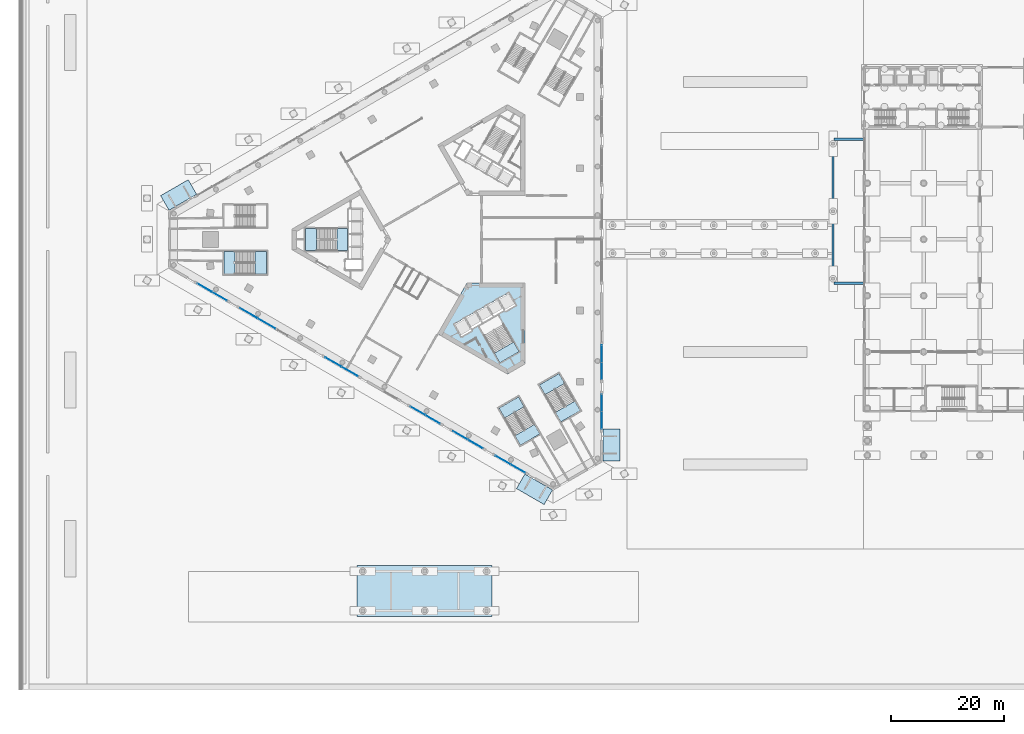
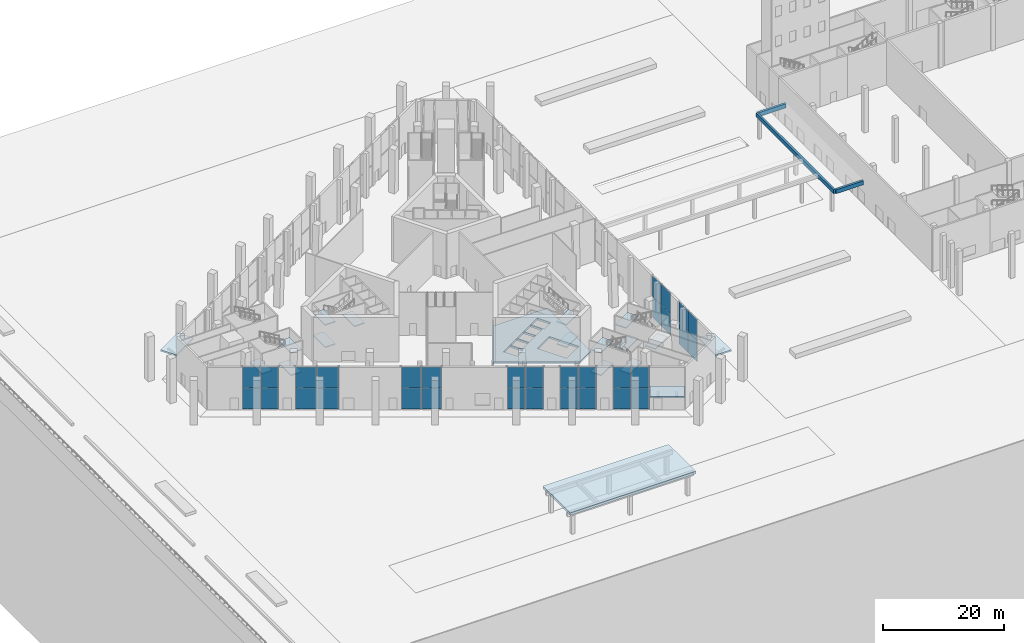
# One storey, part 19 of 63: 32 plates, 19 slabs, 3 beams, 13 elements without a shape of their own.
"""IFC4 building model written with IfcOpenShell, lengths in metres."""

from ifc_helpers import new_model, si_unit, direction, frame, origin, origin_2d, place, context, subcontext, project, spatial, polyline, rectangle, outline, extrude, material, layer, layer_set, material_profile, profile_set, type_object, element, aggregate, save


model = new_model("IFC4")

# Units and contexts
model_context = context("Model", 3, precision=1e-05, world=origin(), true_north=direction((0.0, 1.0)))
body_context = subcontext(model_context, "Body", "Model", "MODEL_VIEW")
ifc_project = project(units=[si_unit("LENGTHUNIT", "METRE"), si_unit("AREAUNIT", "SQUARE_METRE"), si_unit("VOLUMEUNIT", "CUBIC_METRE"), si_unit("PLANEANGLEUNIT", "RADIAN"), si_unit("MASSUNIT", "GRAM", prefix="KILO")], contexts=[model_context])

# Site, building, storey
site_placement = place(None, origin())
site = spatial("IfcSite", under=ifc_project, at=site_placement, CompositionType="ELEMENT")
building_placement = place(site_placement, origin())
building = spatial("IfcBuilding", under=site, at=building_placement, Name="Jabali Bay Hotel Tower and Convention Centre", CompositionType="ELEMENT")
storey_placement = place(building_placement, origin())
storey = spatial("IfcBuildingStorey", under=building, at=storey_placement, Name="L00", CompositionType="ELEMENT", Elevation=0.0)

# Beams
ifc_material_1 = material(Name="Concrete C40", Category="concrete")
ifc_material_profile = material_profile(ifc_material_1, rectangle(XDim=0.39990234375, YDim=0.800048828125, at=origin_2d()), Name="RC 400x800")
ifc_profile_set = profile_set([ifc_material_profile], Name="Concrete C40")
beam_type = type_object("IfcBeamType", Name="CC Canopy Edge Beam 400x800", PredefinedType="BEAM", material=ifc_profile_set)
beam_placement = place(storey_placement, frame((144.60009765625, 72.199951171875, 4.300048828125), z_axis=(0.0, 1.0, 0.0), x_axis=(-1.0, 0.0, 0.0)))
element("IfcBeam", 1, at=beam_placement, inside=storey, type_object=beam_type, Name="CC canopy edge beam", PredefinedType="BEAM", context=body_context, shape_type="SweptSolid", body=[
    extrude(rectangle(XDim=0.39990234375, YDim=0.800048828125, at=origin_2d()), origin(), (0.0, 0.0, 1.0), 25.60009765625),
])
for number, where, z_axis, x_axis, name in (
    (2, (144.800048828125, 72.199951171875, 4.300048828125), (1.0, 0.0, 0.0), (0.0, 1.0, 0.0), "CC canopy cross beam 1"),
    (3, (144.800048828125, 97.800048828125, 4.300048828125), (1.0, 0.0, 0.0), (0.0, 1.0, 0.0), "CC canopy cross beam 2"),
):
    element("IfcBeam", number, at=place(storey_placement, frame(where, z_axis=z_axis, x_axis=x_axis)), inside=storey, type_object=beam_type, Name=name, PredefinedType="BEAM", context=body_context, shape_type="SweptSolid", body=[
        extrude(rectangle(XDim=0.39990234375, YDim=0.800048828125, at=origin_2d()), origin(), (0.0, 0.0, 1.0), 5.199951171875),
    ])

# Curtain wall, plates
ifc_material_2 = material(Name="Aluminium and glass", Category="aluminium")
ifc_layer_1 = layer(ifc_material_2, 0.179931640625)
ifc_layer_set_1 = layer_set([ifc_layer_1], Name="Aluminium and glass")
curtain_wall_type_1 = type_object("IfcCurtainWallType", Name="CW1 curtain wall", PredefinedType="NOTDEFINED", material=ifc_layer_set_1)
curtain_wall_1_placement = place(storey_placement, origin())
curtain_wall_1 = element("IfcCurtainWall", 4, at=curtain_wall_1_placement, inside=storey, type_object=curtain_wall_type_1, Name="CW1 curtain wall east face L00", PredefinedType="NOTDEFINED")
ifc_material_3 = material(Name="Glass", Category="glass")
ifc_layer_2 = layer(ifc_material_3, 0.028076171875)
ifc_layer_set_2 = layer_set([ifc_layer_2], Name="Glass")
plate_type_1 = type_object("IfcPlateType", Name="CW1 glass panel 28", PredefinedType="CURTAIN_PANEL", material=ifc_layer_set_2)
plate_1_placement = place(storey_placement, frame((103.5, 50.90576171875, 0.06005859375), z_axis=(0.0, 0.0, 1.0), x_axis=(0.0, -1.0, 0.0)))
plate_1 = element("IfcPlate", 5, at=plate_1_placement, type_object=plate_type_1, Name="CW1 panel 1.1", PredefinedType="CURTAIN_PANEL", context=body_context, shape_type="SweptSolid", body=[
    extrude(rectangle(XDim=2.983642578125, YDim=0.028076171875, at=origin_2d()), origin(), (0.0, 0.0, 1.0), 4.2099609375),
])
plate_2_placement = place(storey_placement, frame((103.5, 50.90576171875, 4.330078125), z_axis=(0.0, 0.0, 1.0), x_axis=(0.0, -1.0, 0.0)))
plate_2 = element("IfcPlate", 6, at=plate_2_placement, type_object=plate_type_1, Name="CW1 panel 1.2", PredefinedType="CURTAIN_PANEL", context=body_context, shape_type="SweptSolid", body=[
    extrude(rectangle(XDim=2.983642578125, YDim=0.028076171875, at=origin_2d()), origin(), (0.0, 0.0, 1.0), 4.2099609375),
])
plate_3_placement = place(storey_placement, frame((103.5, 47.862060546875, 0.06005859375), z_axis=(0.0, 0.0, 1.0), x_axis=(0.0, -1.0, 0.0)))
plate_3 = element("IfcPlate", 7, at=plate_3_placement, type_object=plate_type_1, Name="CW1 panel 2.1", PredefinedType="CURTAIN_PANEL", context=body_context, shape_type="SweptSolid", body=[
    extrude(rectangle(XDim=2.983642578125, YDim=0.028076171875, at=origin_2d()), origin(), (0.0, 0.0, 1.0), 4.2099609375),
])
plate_4_placement = place(storey_placement, frame((103.5, 47.862060546875, 4.330078125), z_axis=(0.0, 0.0, 1.0), x_axis=(0.0, -1.0, 0.0)))
plate_4 = element("IfcPlate", 8, at=plate_4_placement, type_object=plate_type_1, Name="CW1 panel 2.2", PredefinedType="CURTAIN_PANEL", context=body_context, shape_type="SweptSolid", body=[
    extrude(rectangle(XDim=2.983642578125, YDim=0.028076171875, at=origin_2d()), origin(), (0.0, 0.0, 1.0), 4.2099609375),
])
aggregate(curtain_wall_1, [plate_1, plate_2, plate_3, plate_4])

curtain_wall_2_placement = place(storey_placement, origin())
curtain_wall_2 = element("IfcCurtainWall", 9, at=curtain_wall_2_placement, inside=storey, type_object=curtain_wall_type_1, Name="CW1 curtain wall east face L00", PredefinedType="NOTDEFINED")
plate_5_placement = place(storey_placement, frame((103.5, 59.668701171875, 0.06005859375), z_axis=(0.0, 0.0, 1.0), x_axis=(0.0, -1.0, 0.0)))
plate_5 = element("IfcPlate", 10, at=plate_5_placement, type_object=plate_type_1, Name="CW1 panel 1.1", PredefinedType="CURTAIN_PANEL", context=body_context, shape_type="SweptSolid", body=[
    extrude(rectangle(XDim=2.993896484375, YDim=0.028076171875, at=origin_2d()), origin(), (0.0, 0.0, 1.0), 4.2099609375),
])
plate_6_placement = place(storey_placement, frame((103.5, 59.668701171875, 4.330078125), z_axis=(0.0, 0.0, 1.0), x_axis=(0.0, -1.0, 0.0)))
plate_6 = element("IfcPlate", 11, at=plate_6_placement, type_object=plate_type_1, Name="CW1 panel 1.2", PredefinedType="CURTAIN_PANEL", context=body_context, shape_type="SweptSolid", body=[
    extrude(rectangle(XDim=2.993896484375, YDim=0.028076171875, at=origin_2d()), origin(), (0.0, 0.0, 1.0), 4.2099609375),
])
plate_7_placement = place(storey_placement, frame((103.5, 56.61474609375, 0.06005859375), z_axis=(0.0, 0.0, 1.0), x_axis=(0.0, -1.0, 0.0)))
plate_7 = element("IfcPlate", 12, at=plate_7_placement, type_object=plate_type_1, Name="CW1 panel 2.1", PredefinedType="CURTAIN_PANEL", context=body_context, shape_type="SweptSolid", body=[
    extrude(rectangle(XDim=2.993896484375, YDim=0.028076171875, at=origin_2d()), origin(), (0.0, 0.0, 1.0), 4.2099609375),
])
plate_8_placement = place(storey_placement, frame((103.5, 56.61474609375, 4.330078125), z_axis=(0.0, 0.0, 1.0), x_axis=(0.0, -1.0, 0.0)))
plate_8 = element("IfcPlate", 13, at=plate_8_placement, type_object=plate_type_1, Name="CW1 panel 2.2", PredefinedType="CURTAIN_PANEL", context=body_context, shape_type="SweptSolid", body=[
    extrude(rectangle(XDim=2.993896484375, YDim=0.028076171875, at=origin_2d()), origin(), (0.0, 0.0, 1.0), 4.2099609375),
])
aggregate(curtain_wall_2, [plate_5, plate_6, plate_7, plate_8])

ifc_layer_3 = layer(ifc_material_2, 0.239990234375)
ifc_layer_set_3 = layer_set([ifc_layer_3], Name="Aluminium and glass")
curtain_wall_type_2 = type_object("IfcCurtainWallType", Name="CW2 curtain wall", PredefinedType="NOTDEFINED", material=ifc_layer_set_3)
curtain_wall_3_placement = place(storey_placement, origin())
curtain_wall_3 = element("IfcCurtainWall", 14, at=curtain_wall_3_placement, inside=storey, type_object=curtain_wall_type_2, Name="CW2 curtain wall south-west face L00", PredefinedType="NOTDEFINED")
ifc_layer_4 = layer(ifc_material_3, 0.035888671875)
ifc_layer_set_4 = layer_set([ifc_layer_4], Name="Glass")
plate_type_2 = type_object("IfcPlateType", Name="CW2 glass panel 36", PredefinedType="CURTAIN_PANEL", material=ifc_layer_set_4)
plate_9_placement = place(storey_placement, frame((35.54931640625, 69.867919921875, 0.080078125), z_axis=(0.0, 0.0, 1.0), x_axis=(-0.866025404107, 0.499999999441, 0.0)))
plate_9 = element("IfcPlate", 15, at=plate_9_placement, type_object=plate_type_2, Name="CW2 panel 1.1", PredefinedType="CURTAIN_PANEL", context=body_context, shape_type="SweptSolid", body=[
    extrude(rectangle(XDim=2.95361328125, YDim=0.035888671875, at=origin_2d()), origin(), (0.0, 0.0, 1.0), 4.179931640625),
])
plate_10_placement = place(storey_placement, frame((35.54931640625, 69.867919921875, 4.33984375), z_axis=(0.0, 0.0, 1.0), x_axis=(-0.866025404107, 0.499999999441, 0.0)))
plate_10 = element("IfcPlate", 16, at=plate_10_placement, type_object=plate_type_2, Name="CW2 panel 1.2", PredefinedType="CURTAIN_PANEL", context=body_context, shape_type="SweptSolid", body=[
    extrude(rectangle(XDim=2.95361328125, YDim=0.035888671875, at=origin_2d()), origin(), (0.0, 0.0, 1.0), 4.179931640625),
])
plate_11_placement = place(storey_placement, frame((32.922119140625, 71.384765625, 0.080078125), z_axis=(0.0, 0.0, 1.0), x_axis=(-0.866025404107, 0.499999999441, 0.0)))
plate_11 = element("IfcPlate", 17, at=plate_11_placement, type_object=plate_type_2, Name="CW2 panel 2.1", PredefinedType="CURTAIN_PANEL", context=body_context, shape_type="SweptSolid", body=[
    extrude(rectangle(XDim=2.95361328125, YDim=0.035888671875, at=origin_2d()), origin(), (0.0, 0.0, 1.0), 4.179931640625),
])
plate_12_placement = place(storey_placement, frame((32.922119140625, 71.384765625, 4.33984375), z_axis=(0.0, 0.0, 1.0), x_axis=(-0.866025404107, 0.499999999441, 0.0)))
plate_12 = element("IfcPlate", 18, at=plate_12_placement, type_object=plate_type_2, Name="CW2 panel 2.2", PredefinedType="CURTAIN_PANEL", context=body_context, shape_type="SweptSolid", body=[
    extrude(rectangle(XDim=2.95361328125, YDim=0.035888671875, at=origin_2d()), origin(), (0.0, 0.0, 1.0), 4.179931640625),
])
aggregate(curtain_wall_3, [plate_9, plate_10, plate_11, plate_12])

curtain_wall_4_placement = place(storey_placement, origin())
curtain_wall_4 = element("IfcCurtainWall", 19, at=curtain_wall_4_placement, inside=storey, type_object=curtain_wall_type_2, Name="CW2 curtain wall south-west face L00", PredefinedType="NOTDEFINED")
plate_13_placement = place(storey_placement, frame((43.88818359375, 65.053466796875, 0.080078125), z_axis=(0.0, 0.0, 1.0), x_axis=(-0.866025404107, 0.499999999441, 0.0)))
plate_13 = element("IfcPlate", 20, at=plate_13_placement, type_object=plate_type_2, Name="CW2 panel 1.1", PredefinedType="CURTAIN_PANEL", context=body_context, shape_type="SweptSolid", body=[
    extrude(rectangle(XDim=3.541259765625, YDim=0.035888671875, at=origin_2d()), origin(), (0.0, 0.0, 1.0), 4.179931640625),
])
plate_14_placement = place(storey_placement, frame((43.88818359375, 65.053466796875, 4.33984375), z_axis=(0.0, 0.0, 1.0), x_axis=(-0.866025404107, 0.499999999441, 0.0)))
plate_14 = element("IfcPlate", 21, at=plate_14_placement, type_object=plate_type_2, Name="CW2 panel 1.2", PredefinedType="CURTAIN_PANEL", context=body_context, shape_type="SweptSolid", body=[
    extrude(rectangle(XDim=3.541259765625, YDim=0.035888671875, at=origin_2d()), origin(), (0.0, 0.0, 1.0), 4.179931640625),
])
plate_15_placement = place(storey_placement, frame((40.751953125, 66.864013671875, 0.080078125), z_axis=(0.0, 0.0, 1.0), x_axis=(-0.866025404107, 0.499999999441, 0.0)))
plate_15 = element("IfcPlate", 22, at=plate_15_placement, type_object=plate_type_2, Name="CW2 panel 2.1", PredefinedType="CURTAIN_PANEL", context=body_context, shape_type="SweptSolid", body=[
    extrude(rectangle(XDim=3.541259765625, YDim=0.035888671875, at=origin_2d()), origin(), (0.0, 0.0, 1.0), 4.179931640625),
])
plate_16_placement = place(storey_placement, frame((40.751953125, 66.864013671875, 4.33984375), z_axis=(0.0, 0.0, 1.0), x_axis=(-0.866025404107, 0.499999999441, 0.0)))
plate_16 = element("IfcPlate", 23, at=plate_16_placement, type_object=plate_type_2, Name="CW2 panel 2.2", PredefinedType="CURTAIN_PANEL", context=body_context, shape_type="SweptSolid", body=[
    extrude(rectangle(XDim=3.541259765625, YDim=0.035888671875, at=origin_2d()), origin(), (0.0, 0.0, 1.0), 4.179931640625),
])
aggregate(curtain_wall_4, [plate_13, plate_14, plate_15, plate_16])

curtain_wall_5_placement = place(storey_placement, origin())
curtain_wall_5 = element("IfcCurtainWall", 24, at=curtain_wall_5_placement, inside=storey, type_object=curtain_wall_type_2, Name="CW2 curtain wall south-west face L00", PredefinedType="NOTDEFINED")
plate_17_placement = place(storey_placement, frame((58.718505859375, 56.4912109375, 0.080078125), z_axis=(0.0, 0.0, 1.0), x_axis=(-0.866025404107, 0.499999999441, 0.0)))
plate_17 = element("IfcPlate", 25, at=plate_17_placement, type_object=plate_type_2, Name="CW2 panel 1.1", PredefinedType="CURTAIN_PANEL", context=body_context, shape_type="SweptSolid", body=[
    extrude(rectangle(XDim=3.29443359375, YDim=0.035888671875, at=origin_2d()), origin(), (0.0, 0.0, 1.0), 4.179931640625),
])
plate_18_placement = place(storey_placement, frame((58.718505859375, 56.4912109375, 4.33984375), z_axis=(0.0, 0.0, 1.0), x_axis=(-0.866025404107, 0.499999999441, 0.0)))
plate_18 = element("IfcPlate", 26, at=plate_18_placement, type_object=plate_type_2, Name="CW2 panel 1.2", PredefinedType="CURTAIN_PANEL", context=body_context, shape_type="SweptSolid", body=[
    extrude(rectangle(XDim=3.29443359375, YDim=0.035888671875, at=origin_2d()), origin(), (0.0, 0.0, 1.0), 4.179931640625),
])
plate_19_placement = place(storey_placement, frame((55.796142578125, 58.178466796875, 0.080078125), z_axis=(0.0, 0.0, 1.0), x_axis=(-0.866025404107, 0.499999999441, 0.0)))
plate_19 = element("IfcPlate", 27, at=plate_19_placement, type_object=plate_type_2, Name="CW2 panel 2.1", PredefinedType="CURTAIN_PANEL", context=body_context, shape_type="SweptSolid", body=[
    extrude(rectangle(XDim=3.29443359375, YDim=0.035888671875, at=origin_2d()), origin(), (0.0, 0.0, 1.0), 4.179931640625),
])
plate_20_placement = place(storey_placement, frame((55.796142578125, 58.178466796875, 4.33984375), z_axis=(0.0, 0.0, 1.0), x_axis=(-0.866025404107, 0.499999999441, 0.0)))
plate_20 = element("IfcPlate", 28, at=plate_20_placement, type_object=plate_type_2, Name="CW2 panel 2.2", PredefinedType="CURTAIN_PANEL", context=body_context, shape_type="SweptSolid", body=[
    extrude(rectangle(XDim=3.29443359375, YDim=0.035888671875, at=origin_2d()), origin(), (0.0, 0.0, 1.0), 4.179931640625),
])
aggregate(curtain_wall_5, [plate_17, plate_18, plate_19, plate_20])

curtain_wall_6_placement = place(storey_placement, origin())
curtain_wall_6 = element("IfcCurtainWall", 29, at=curtain_wall_6_placement, inside=storey, type_object=curtain_wall_type_2, Name="CW2 curtain wall south-west face L00", PredefinedType="NOTDEFINED")
plate_21_placement = place(storey_placement, frame((73.427001953125, 47.999267578125, 0.080078125), z_axis=(0.0, 0.0, 1.0), x_axis=(-0.866025404107, 0.499999999441, 0.0)))
plate_21 = element("IfcPlate", 30, at=plate_21_placement, type_object=plate_type_2, Name="CW2 panel 1.1", PredefinedType="CURTAIN_PANEL", context=body_context, shape_type="SweptSolid", body=[
    extrude(rectangle(XDim=2.95361328125, YDim=0.035888671875, at=origin_2d()), origin(), (0.0, 0.0, 1.0), 4.179931640625),
])
plate_22_placement = place(storey_placement, frame((73.427001953125, 47.999267578125, 4.33984375), z_axis=(0.0, 0.0, 1.0), x_axis=(-0.866025404107, 0.499999999441, 0.0)))
plate_22 = element("IfcPlate", 31, at=plate_22_placement, type_object=plate_type_2, Name="CW2 panel 1.2", PredefinedType="CURTAIN_PANEL", context=body_context, shape_type="SweptSolid", body=[
    extrude(rectangle(XDim=2.95361328125, YDim=0.035888671875, at=origin_2d()), origin(), (0.0, 0.0, 1.0), 4.179931640625),
])
plate_23_placement = place(storey_placement, frame((70.799560546875, 49.51611328125, 0.080078125), z_axis=(0.0, 0.0, 1.0), x_axis=(-0.866025404107, 0.499999999441, 0.0)))
plate_23 = element("IfcPlate", 32, at=plate_23_placement, type_object=plate_type_2, Name="CW2 panel 2.1", PredefinedType="CURTAIN_PANEL", context=body_context, shape_type="SweptSolid", body=[
    extrude(rectangle(XDim=2.95361328125, YDim=0.035888671875, at=origin_2d()), origin(), (0.0, 0.0, 1.0), 4.179931640625),
])
plate_24_placement = place(storey_placement, frame((70.799560546875, 49.51611328125, 4.33984375), z_axis=(0.0, 0.0, 1.0), x_axis=(-0.866025404107, 0.499999999441, 0.0)))
plate_24 = element("IfcPlate", 33, at=plate_24_placement, type_object=plate_type_2, Name="CW2 panel 2.2", PredefinedType="CURTAIN_PANEL", context=body_context, shape_type="SweptSolid", body=[
    extrude(rectangle(XDim=2.95361328125, YDim=0.035888671875, at=origin_2d()), origin(), (0.0, 0.0, 1.0), 4.179931640625),
])
aggregate(curtain_wall_6, [plate_21, plate_22, plate_23, plate_24])

curtain_wall_7_placement = place(storey_placement, origin())
curtain_wall_7 = element("IfcCurtainWall", 34, at=curtain_wall_7_placement, inside=storey, type_object=curtain_wall_type_2, Name="CW2 curtain wall south-west face L00", PredefinedType="NOTDEFINED")
plate_25_placement = place(storey_placement, frame((81.00244140625, 43.62548828125, 0.080078125), z_axis=(0.0, 0.0, 1.0), x_axis=(-0.866025404107, 0.499999999441, 0.0)))
plate_25 = element("IfcPlate", 35, at=plate_25_placement, type_object=plate_type_2, Name="CW2 panel 1.1", PredefinedType="CURTAIN_PANEL", context=body_context, shape_type="SweptSolid", body=[
    extrude(rectangle(XDim=2.95361328125, YDim=0.035888671875, at=origin_2d()), origin(), (0.0, 0.0, 1.0), 4.179931640625),
])
plate_26_placement = place(storey_placement, frame((81.00244140625, 43.62548828125, 4.33984375), z_axis=(0.0, 0.0, 1.0), x_axis=(-0.866025404107, 0.499999999441, 0.0)))
plate_26 = element("IfcPlate", 36, at=plate_26_placement, type_object=plate_type_2, Name="CW2 panel 1.2", PredefinedType="CURTAIN_PANEL", context=body_context, shape_type="SweptSolid", body=[
    extrude(rectangle(XDim=2.95361328125, YDim=0.035888671875, at=origin_2d()), origin(), (0.0, 0.0, 1.0), 4.179931640625),
])
plate_27_placement = place(storey_placement, frame((78.375, 45.142333984375, 0.080078125), z_axis=(0.0, 0.0, 1.0), x_axis=(-0.866025404107, 0.499999999441, 0.0)))
plate_27 = element("IfcPlate", 37, at=plate_27_placement, type_object=plate_type_2, Name="CW2 panel 2.1", PredefinedType="CURTAIN_PANEL", context=body_context, shape_type="SweptSolid", body=[
    extrude(rectangle(XDim=2.95361328125, YDim=0.035888671875, at=origin_2d()), origin(), (0.0, 0.0, 1.0), 4.179931640625),
])
plate_28_placement = place(storey_placement, frame((78.375, 45.142333984375, 4.33984375), z_axis=(0.0, 0.0, 1.0), x_axis=(-0.866025404107, 0.499999999441, 0.0)))
plate_28 = element("IfcPlate", 38, at=plate_28_placement, type_object=plate_type_2, Name="CW2 panel 2.2", PredefinedType="CURTAIN_PANEL", context=body_context, shape_type="SweptSolid", body=[
    extrude(rectangle(XDim=2.95361328125, YDim=0.035888671875, at=origin_2d()), origin(), (0.0, 0.0, 1.0), 4.179931640625),
])
aggregate(curtain_wall_7, [plate_25, plate_26, plate_27, plate_28])

curtain_wall_8_placement = place(storey_placement, origin())
curtain_wall_8 = element("IfcCurtainWall", 39, at=curtain_wall_8_placement, inside=storey, type_object=curtain_wall_type_2, Name="CW2 curtain wall south-west face L00", PredefinedType="NOTDEFINED")
plate_29_placement = place(storey_placement, frame((88.577880859375, 39.251953125, 0.080078125), z_axis=(0.0, 0.0, 1.0), x_axis=(-0.866025404107, 0.499999999441, 0.0)))
plate_29 = element("IfcPlate", 40, at=plate_29_placement, type_object=plate_type_2, Name="CW2 panel 1.1", PredefinedType="CURTAIN_PANEL", context=body_context, shape_type="SweptSolid", body=[
    extrude(rectangle(XDim=2.95361328125, YDim=0.035888671875, at=origin_2d()), origin(), (0.0, 0.0, 1.0), 4.179931640625),
])
plate_30_placement = place(storey_placement, frame((88.577880859375, 39.251953125, 4.33984375), z_axis=(0.0, 0.0, 1.0), x_axis=(-0.866025404107, 0.499999999441, 0.0)))
plate_30 = element("IfcPlate", 41, at=plate_30_placement, type_object=plate_type_2, Name="CW2 panel 1.2", PredefinedType="CURTAIN_PANEL", context=body_context, shape_type="SweptSolid", body=[
    extrude(rectangle(XDim=2.95361328125, YDim=0.035888671875, at=origin_2d()), origin(), (0.0, 0.0, 1.0), 4.179931640625),
])
plate_31_placement = place(storey_placement, frame((85.95068359375, 40.768798828125, 0.080078125), z_axis=(0.0, 0.0, 1.0), x_axis=(-0.866025404107, 0.499999999441, 0.0)))
plate_31 = element("IfcPlate", 42, at=plate_31_placement, type_object=plate_type_2, Name="CW2 panel 2.1", PredefinedType="CURTAIN_PANEL", context=body_context, shape_type="SweptSolid", body=[
    extrude(rectangle(XDim=2.95361328125, YDim=0.035888671875, at=origin_2d()), origin(), (0.0, 0.0, 1.0), 4.179931640625),
])
plate_32_placement = place(storey_placement, frame((85.95068359375, 40.768798828125, 4.33984375), z_axis=(0.0, 0.0, 1.0), x_axis=(-0.866025404107, 0.499999999441, 0.0)))
plate_32 = element("IfcPlate", 43, at=plate_32_placement, type_object=plate_type_2, Name="CW2 panel 2.2", PredefinedType="CURTAIN_PANEL", context=body_context, shape_type="SweptSolid", body=[
    extrude(rectangle(XDim=2.95361328125, YDim=0.035888671875, at=origin_2d()), origin(), (0.0, 0.0, 1.0), 4.179931640625),
])
aggregate(curtain_wall_8, [plate_29, plate_30, plate_31, plate_32])

# Slabs
ifc_layer_5 = layer(ifc_material_1, 0.39990234375)
ifc_layer_set_5 = layer_set([ifc_layer_5], Name="Concrete C40")
slab_type_1 = type_object("IfcSlabType", Name="Core floor slab 400", PredefinedType="FLOOR", material=ifc_layer_set_5)
slab_1_placement = place(storey_placement, frame((0.0, 0.0, -0.39990234375)))
element("IfcSlab", 44, at=slab_1_placement, inside=storey, type_object=slab_type_1, Name="Core floor slab 3 L00", PredefinedType="FLOOR", context=body_context, shape_type="SweptSolid", body=[
    extrude(outline(polyline([(79.5, 72.205810546875), (74.31005859375, 63.21630859375), (86.72314453125, 56.0498046875), (89.8798828125, 57.872314453125), (89.8798828125, 72.205810546875), (79.5, 72.205810546875)]), holes=[polyline([(82.584716796875, 62.9130859375), (85.379638671875, 58.072021484375), (88.80029296875, 60.047119140625), (86.00537109375, 64.88818359375), (82.584716796875, 62.9130859375)]), polyline([(80.365478515625, 63.756591796875), (79.090576171875, 65.96484375), (77.27197265625, 64.9150390625), (78.546875, 62.70654296875), (80.365478515625, 63.756591796875)]), polyline([(82.17919921875, 65.115478515625), (81.0390625, 67.08984375), (79.263671875, 66.06494140625), (80.40380859375, 64.09033203125), (82.17919921875, 65.115478515625)]), polyline([(82.98779296875, 68.21484375), (81.21240234375, 67.18994140625), (82.352294921875, 65.21533203125), (84.127685546875, 66.240478515625), (82.98779296875, 68.21484375)]), polyline([(86.076171875, 67.365478515625), (84.936279296875, 69.33984375), (83.160888671875, 68.31494140625), (84.30078125, 66.34033203125), (86.076171875, 67.365478515625)]), polyline([(88.203125, 68.281494140625), (86.927978515625, 70.489990234375), (85.109375, 69.43994140625), (86.384521484375, 67.231689453125), (88.203125, 68.281494140625)])]), origin(), (0.0, 0.0, 1.0), 0.39990234375),
])
ifc_layer_6 = layer(ifc_material_1, 0.300048828125)
ifc_layer_set_6 = layer_set([ifc_layer_6], Name="Concrete C40")
slab_type_2 = type_object("IfcSlabType", Name="Entrance canopy 300", PredefinedType="ROOF", material=ifc_layer_set_6)
slab_2_placement = place(storey_placement, frame((0.0, 0.0, 4.5)))
element("IfcSlab", 45, at=slab_2_placement, inside=storey, type_object=slab_type_2, Name="Entrance canopy", PredefinedType="ROOF", context=body_context, shape_type="SweptSolid", body=[
    extrude(outline(polyline([(26.560302734375, 85.173095703125), (31.473876953125, 88.010009765625), (29.973876953125, 90.608154296875), (25.060302734375, 87.771240234375), (26.560302734375, 85.173095703125)])), origin(), (0.0, 0.0, 1.0), 0.300048828125),
])
slab_3_placement = place(storey_placement, frame((0.0, 0.0, 4.5)))
element("IfcSlab", 46, at=slab_3_placement, inside=storey, type_object=slab_type_2, Name="Entrance canopy", PredefinedType="ROOF", context=body_context, shape_type="SweptSolid", body=[
    extrude(outline(polyline([(103.699951171875, 46.310302734375), (103.699951171875, 40.636474609375), (106.699951171875, 40.636474609375), (106.699951171875, 46.310302734375), (103.699951171875, 46.310302734375)])), origin(), (0.0, 0.0, 1.0), 0.300048828125),
])
slab_4_placement = place(storey_placement, frame((0.0, 0.0, 4.5)))
element("IfcSlab", 47, at=slab_4_placement, inside=storey, type_object=slab_type_2, Name="Entrance canopy", PredefinedType="ROOF", context=body_context, shape_type="SweptSolid", body=[
    extrude(outline(polyline([(94.73974609375, 35.46337890625), (89.826171875, 38.30029296875), (88.326171875, 35.7021484375), (93.23974609375, 32.865234375), (94.73974609375, 35.46337890625)])), origin(), (0.0, 0.0, 1.0), 0.300048828125),
])
ifc_layer_7 = layer(ifc_material_1, 0.5)
ifc_layer_set_7 = layer_set([ifc_layer_7], Name="Concrete C40")
slab_type_3 = type_object("IfcSlabType", Name="SI Canopy Slab 500", PredefinedType="ROOF", material=ifc_layer_set_7)
slab_5_placement = place(storey_placement, frame((0.0, 0.0, 4.5)))
element("IfcSlab", 48, at=slab_5_placement, inside=storey, type_object=slab_type_3, Name="SI drop-off canopy", PredefinedType="ROOF", context=body_context, shape_type="SweptSolid", body=[
    extrude(outline(polyline([(84.0, 13.0), (84.0, 22.0), (60.0, 22.0), (60.0, 13.0), (84.0, 13.0)])), origin(), (0.0, 0.0, 1.0), 0.5),
])

# Stair, slabs
stair_type_1 = type_object("IfcStairType", Name="Exit stair 1900", PredefinedType="HALF_TURN_STAIR", material=ifc_material_1)
stair_1_placement = place(storey_placement, origin())
stair_1 = element("IfcStair", 49, at=stair_1_placement, inside=storey, type_object=stair_type_1, Name="L00 Exit Stair 1", PredefinedType="HALF_TURN_STAIR")
ifc_layer_8 = layer(ifc_material_1, 0.199951171875)
ifc_layer_set_8 = layer_set([ifc_layer_8], Name="Concrete C40")
slab_type_4 = type_object("IfcSlabType", Name="Stair landing 200", PredefinedType="LANDING", material=ifc_layer_set_8)
slab_6_placement = place(storey_placement, frame((0.0, 0.0, 2.050048828125)))
slab_6 = element("IfcSlab", 50, at=slab_6_placement, type_object=slab_type_4, Name="ST1 landing 1", PredefinedType="LANDING", context=body_context, shape_type="SweptSolid", body=[
    extrude(outline(polyline([(52.782958984375, 81.97509765625), (50.820068359375, 81.97509765625), (50.820068359375, 78.02490234375), (52.782958984375, 78.02490234375), (52.782958984375, 81.97509765625)])), origin(), (0.0, 0.0, 1.0), 0.199951171875),
])
slab_7_placement = place(storey_placement, frame((0.0, 0.0, 4.300048828125)))
slab_7 = element("IfcSlab", 51, at=slab_7_placement, type_object=slab_type_4, Name="ST1 landing 2", PredefinedType="LANDING", context=body_context, shape_type="SweptSolid", body=[
    extrude(outline(polyline([(58.320068359375, 81.97509765625), (56.4169921875, 81.97509765625), (56.4169921875, 78.02490234375), (58.320068359375, 78.02490234375), (58.320068359375, 81.97509765625)])), origin(), (0.0, 0.0, 1.0), 0.199951171875),
])
slab_8_placement = place(storey_placement, frame((0.0, 0.0, 6.550048828125)))
slab_8 = element("IfcSlab", 52, at=slab_8_placement, type_object=slab_type_4, Name="ST1 landing 3", PredefinedType="LANDING", context=body_context, shape_type="SweptSolid", body=[
    extrude(outline(polyline([(52.782958984375, 81.97509765625), (50.820068359375, 81.97509765625), (50.820068359375, 78.02490234375), (52.782958984375, 78.02490234375), (52.782958984375, 81.97509765625)])), origin(), (0.0, 0.0, 1.0), 0.199951171875),
])
aggregate(stair_1, [slab_6, slab_7, slab_8])

stair_2_placement = place(storey_placement, origin())
stair_2 = element("IfcStair", 53, at=stair_2_placement, inside=storey, type_object=stair_type_1, Name="L00 Exit Stair 3", PredefinedType="HALF_TURN_STAIR")
slab_9_placement = place(storey_placement, frame((0.0, 0.0, 2.050048828125)))
slab_9 = element("IfcSlab", 54, at=slab_9_placement, type_object=slab_type_4, Name="ST3 landing 1", PredefinedType="LANDING", context=body_context, shape_type="SweptSolid", body=[
    extrude(outline(polyline([(84.398193359375, 59.77197265625), (85.379638671875, 58.072021484375), (88.80029296875, 60.047119140625), (87.81884765625, 61.7470703125), (84.398193359375, 59.77197265625)])), origin(), (0.0, 0.0, 1.0), 0.199951171875),
])
slab_10_placement = place(storey_placement, frame((0.0, 0.0, 6.550048828125)))
slab_10 = element("IfcSlab", 55, at=slab_10_placement, type_object=slab_type_4, Name="ST3 landing 3", PredefinedType="LANDING", context=body_context, shape_type="SweptSolid", body=[
    extrude(outline(polyline([(84.398193359375, 59.77197265625), (85.379638671875, 58.072021484375), (88.80029296875, 60.047119140625), (87.81884765625, 61.7470703125), (84.398193359375, 59.77197265625)])), origin(), (0.0, 0.0, 1.0), 0.199951171875),
])
aggregate(stair_2, [slab_9, slab_10])

stair_type_2 = type_object("IfcStairType", Name="Podium stair 1950", PredefinedType="HALF_TURN_STAIR", material=ifc_material_1)
stair_3_placement = place(storey_placement, origin())
stair_3 = element("IfcStair", 56, at=stair_3_placement, inside=storey, type_object=stair_type_2, Name="L00 Podium Exit Stair 1", PredefinedType="HALF_TURN_STAIR")
slab_11_placement = place(storey_placement, frame((0.0, 0.0, 2.050048828125)))
slab_11 = element("IfcSlab", 57, at=slab_11_placement, type_object=slab_type_4, Name="PS1 landing 1", PredefinedType="LANDING", context=body_context, shape_type="SweptSolid", body=[
    extrude(outline(polyline([(41.886962890625, 73.85009765625), (43.89990234375, 73.85009765625), (43.89990234375, 77.85009765625), (41.886962890625, 77.85009765625), (41.886962890625, 73.85009765625)])), origin(), (0.0, 0.0, 1.0), 0.199951171875),
])
slab_12_placement = place(storey_placement, frame((0.0, 0.0, 4.300048828125)))
slab_12 = element("IfcSlab", 58, at=slab_12_placement, type_object=slab_type_4, Name="PS1 landing 2", PredefinedType="LANDING", context=body_context, shape_type="SweptSolid", body=[
    extrude(outline(polyline([(36.300048828125, 73.85009765625), (38.2529296875, 73.85009765625), (38.2529296875, 77.85009765625), (36.300048828125, 77.85009765625), (36.300048828125, 73.85009765625)])), origin(), (0.0, 0.0, 1.0), 0.199951171875),
])
slab_13_placement = place(storey_placement, frame((0.0, 0.0, 6.550048828125)))
slab_13 = element("IfcSlab", 59, at=slab_13_placement, type_object=slab_type_4, Name="PS1 landing 3", PredefinedType="LANDING", context=body_context, shape_type="SweptSolid", body=[
    extrude(outline(polyline([(41.886962890625, 73.85009765625), (43.89990234375, 73.85009765625), (43.89990234375, 77.85009765625), (41.886962890625, 77.85009765625), (41.886962890625, 73.85009765625)])), origin(), (0.0, 0.0, 1.0), 0.199951171875),
])
aggregate(stair_3, [slab_11, slab_12, slab_13])

stair_4_placement = place(storey_placement, origin())
stair_4 = element("IfcStair", 60, at=stair_4_placement, inside=storey, type_object=stair_type_2, Name="L00 Podium Exit Stair 5", PredefinedType="HALF_TURN_STAIR")
slab_14_placement = place(storey_placement, frame((0.0, 0.0, 2.050048828125)))
slab_14 = element("IfcSlab", 61, at=slab_14_placement, type_object=slab_type_4, Name="PS5 landing 1", PredefinedType="LANDING", context=body_context, shape_type="SweptSolid", body=[
    extrude(outline(polyline([(96.882568359375, 54.398193359375), (95.8759765625, 56.1416015625), (92.411865234375, 54.1416015625), (93.41845703125, 52.398193359375), (96.882568359375, 54.398193359375)])), origin(), (0.0, 0.0, 1.0), 0.199951171875),
])
slab_15_placement = place(storey_placement, frame((0.0, 0.0, 4.300048828125)))
slab_15 = element("IfcSlab", 62, at=slab_15_placement, type_object=slab_type_4, Name="PS5 landing 2", PredefinedType="LANDING", context=body_context, shape_type="SweptSolid", body=[
    extrude(outline(polyline([(99.676025390625, 49.559814453125), (98.699462890625, 51.251220703125), (95.2353515625, 49.251220703125), (96.2119140625, 47.559814453125), (99.676025390625, 49.559814453125)])), origin(), (0.0, 0.0, 1.0), 0.199951171875),
])
slab_16_placement = place(storey_placement, frame((0.0, 0.0, 6.550048828125)))
slab_16 = element("IfcSlab", 63, at=slab_16_placement, type_object=slab_type_4, Name="PS5 landing 3", PredefinedType="LANDING", context=body_context, shape_type="SweptSolid", body=[
    extrude(outline(polyline([(96.882568359375, 54.398193359375), (95.8759765625, 56.1416015625), (92.411865234375, 54.1416015625), (93.41845703125, 52.398193359375), (96.882568359375, 54.398193359375)])), origin(), (0.0, 0.0, 1.0), 0.199951171875),
])
aggregate(stair_4, [slab_14, slab_15, slab_16])

stair_5_placement = place(storey_placement, origin())
stair_5 = element("IfcStair", 64, at=stair_5_placement, inside=storey, type_object=stair_type_2, Name="L00 Podium Exit Stair 6", PredefinedType="HALF_TURN_STAIR")
slab_17_placement = place(storey_placement, frame((0.0, 0.0, 2.050048828125)))
slab_17 = element("IfcSlab", 65, at=slab_17_placement, type_object=slab_type_4, Name="PS6 landing 1", PredefinedType="LANDING", context=body_context, shape_type="SweptSolid", body=[
    extrude(outline(polyline([(89.694580078125, 50.248291015625), (88.68798828125, 51.99169921875), (85.223876953125, 49.99169921875), (86.23046875, 48.248291015625), (89.694580078125, 50.248291015625)])), origin(), (0.0, 0.0, 1.0), 0.199951171875),
])
slab_18_placement = place(storey_placement, frame((0.0, 0.0, 4.300048828125)))
slab_18 = element("IfcSlab", 66, at=slab_18_placement, type_object=slab_type_4, Name="PS6 landing 2", PredefinedType="LANDING", context=body_context, shape_type="SweptSolid", body=[
    extrude(outline(polyline([(92.488037109375, 45.409912109375), (91.511474609375, 47.10107421875), (88.04736328125, 45.10107421875), (89.02392578125, 43.409912109375), (92.488037109375, 45.409912109375)])), origin(), (0.0, 0.0, 1.0), 0.199951171875),
])
slab_19_placement = place(storey_placement, frame((0.0, 0.0, 6.550048828125)))
slab_19 = element("IfcSlab", 67, at=slab_19_placement, type_object=slab_type_4, Name="PS6 landing 3", PredefinedType="LANDING", context=body_context, shape_type="SweptSolid", body=[
    extrude(outline(polyline([(89.694580078125, 50.248291015625), (88.68798828125, 51.99169921875), (85.223876953125, 49.99169921875), (86.23046875, 48.248291015625), (89.694580078125, 50.248291015625)])), origin(), (0.0, 0.0, 1.0), 0.199951171875),
])
aggregate(stair_5, [slab_17, slab_18, slab_19])

save(model, "model.ifc")
